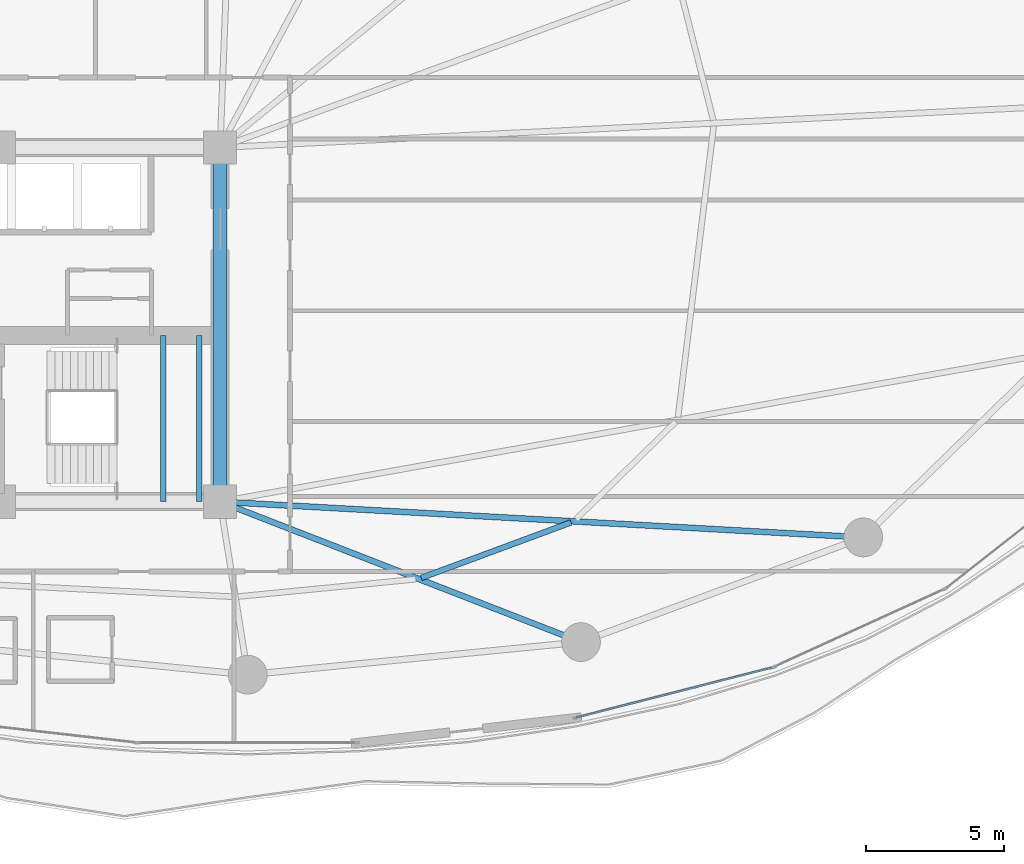
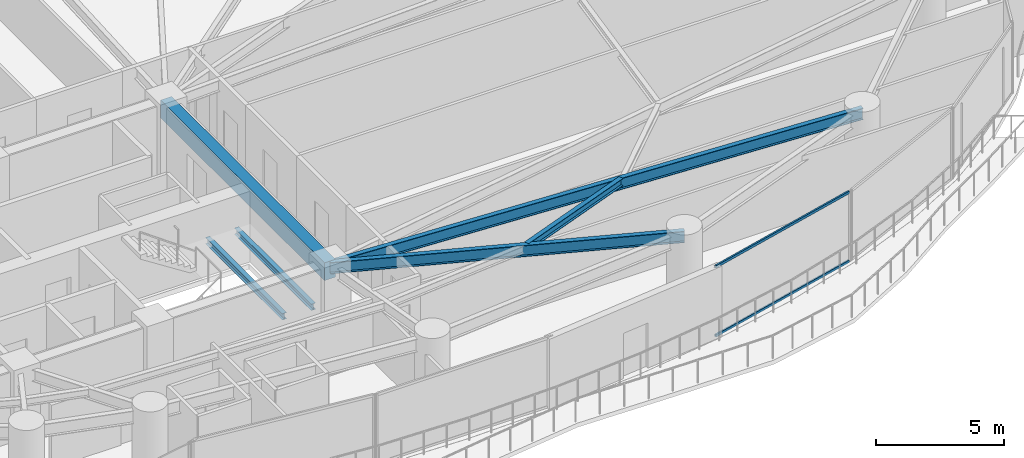
# One storey, part 12 of 32: 6 beams, 2 members, 1 element without a shape of its own.
"""IFC4 building model written with IfcOpenShell, lengths in metres."""

import ifcopenshell
import ifcopenshell.guid

model = None  # the IFC model being written
_history = None  # IfcOwnerHistory: only IFC2X3 demands one
_inside = {}  # id of a spatial element -> (the spatial element, [elements in it])
_under = {}  # id of a project, library or spatial element -> (it, [spatial elements below it])
_declared = {}  # id of a project -> (the project, [libraries it declares])
_typed = {}  # id of a type object -> (the type object, [elements of that type])
_made_of = {}  # id of a material, layer set ... -> (it, [elements and type objects made of it])


def new_model(schema):
    """Start an empty IFC model of exactly this schema.

    Asked for "IFC4X3", IfcOpenShell would pick the latest addendum, in which some entities
    have other attributes; the version numbers below select the first issue.
    IFC2X3 requires an IfcOwnerHistory on every rooted entity: one is made here for all.
    """
    global model, _history
    if schema == "IFC4X3":
        model = ifcopenshell.file(schema_version=(4, 3, 0, 0))
    else:
        model = ifcopenshell.file(schema=schema)
    _inside.clear()
    _under.clear()
    _declared.clear()
    _typed.clear()
    _made_of.clear()
    _history = None
    if model.schema == "IFC2X3":
        org = make("IfcOrganization", Name="unknown")
        user = make(
            "IfcPersonAndOrganization",
            ThePerson=make("IfcPerson", FamilyName="unknown"),
            TheOrganization=org,
        )
        app = make(
            "IfcApplication",
            ApplicationDeveloper=org,
            Version="unknown",
            ApplicationFullName="unknown",
            ApplicationIdentifier="unknown",
        )
        _history = make(
            "IfcOwnerHistory",
            OwningUser=user,
            OwningApplication=app,
            ChangeAction="ADDED",
            CreationDate=0,
        )
    return model


def make(cls, **values):
    """One entity of the class cls with the attributes given. An attribute that is None is left unset."""
    return model.create_entity(
        cls, **{name: value for name, value in values.items() if value is not None}
    )


def rooted(cls, **values):
    """An entity with a GlobalId (a new one), such as an element, a storey or a relation."""
    return make(cls, GlobalId=ifcopenshell.guid.new(), OwnerHistory=_history, **values)


def si_unit(unit_type, name, prefix=None):
    """IfcSIUnit, for example si_unit("LENGTHUNIT", "METRE", prefix="MILLI")."""
    return make("IfcSIUnit", UnitType=unit_type, Prefix=prefix, Name=name)


def assignment(units):
    """IfcUnitAssignment: the units of a project."""
    return None if units is None else make("IfcUnitAssignment", Units=units)


def point(xyz):
    """IfcCartesianPoint."""
    return None if xyz is None else make("IfcCartesianPoint", Coordinates=xyz)


def direction(xyz):
    """IfcDirection."""
    return None if xyz is None else make("IfcDirection", DirectionRatios=xyz)


def frame(location, z_axis=None, x_axis=None):
    """IfcAxis2Placement3D, a coordinate frame: its origin and axes. An axis left out is left unset."""
    return make(
        "IfcAxis2Placement3D",
        Location=point(location),
        Axis=direction(z_axis),
        RefDirection=direction(x_axis),
    )


def frame_2d(location, x_axis=None):
    """IfcAxis2Placement2D, a coordinate frame in the plane: its origin and x axis."""
    return make(
        "IfcAxis2Placement2D", Location=point(location), RefDirection=direction(x_axis)
    )


def origin():
    """The frame at (0, 0, 0) with its axes left unset."""
    return frame((0.0, 0.0, 0.0))


def origin_2d():
    """The frame at (0, 0) in the plane with its x axis left unset."""
    return frame_2d((0.0, 0.0))


def place(relative_to, where):
    """IfcLocalPlacement: puts the frame where relative to a parent placement (None: the world)."""
    return make(
        "IfcLocalPlacement", PlacementRelTo=relative_to, RelativePlacement=where
    )


def context(
    kind, dimensions, precision=None, world=None, true_north=None, identifier=None
):
    """IfcGeometricRepresentationContext, for example the 3D "Model" context."""
    return make(
        "IfcGeometricRepresentationContext",
        ContextIdentifier=identifier,
        ContextType=kind,
        CoordinateSpaceDimension=dimensions,
        Precision=precision,
        WorldCoordinateSystem=world,
        TrueNorth=true_north,
    )


def subcontext(parent, identifier, kind, view, scale=None):
    """IfcGeometricRepresentationSubContext, for example "Body" below "Model"."""
    return make(
        "IfcGeometricRepresentationSubContext",
        ContextIdentifier=identifier,
        ContextType=kind,
        ParentContext=parent,
        TargetScale=scale,
        TargetView=view,
    )


def project(units=None, contexts=None):
    """IfcProject with its units and contexts."""
    return rooted(
        "IfcProject",
        Name="project",
        RepresentationContexts=contexts,
        UnitsInContext=assignment(units),
    )


def spatial(cls, under=None, at=None, **own):
    """A site, building, storey or space (cls), placed at a placement, below another one or the project."""
    s = rooted(cls, ObjectPlacement=at, **own)
    if under is not None:
        _under.setdefault(under.id(), (under, []))[1].append(s)
    return s


def profile(cls, at=None, kind="AREA", **sizes):
    """A parametric profile (cls). Its sizes go by their IFC names, for example OverallWidth=200.0."""
    return make(cls, ProfileType=kind, Position=at, **sizes)


def rectangle(**sizes):
    """IfcRectangleProfileDef."""
    return profile("IfcRectangleProfileDef", **sizes)


def hollow_rectangle(**sizes):
    """IfcRectangleHollowProfileDef."""
    return profile("IfcRectangleHollowProfileDef", **sizes)


def i_section(**sizes):
    """IfcIShapeProfileDef."""
    return profile("IfcIShapeProfileDef", **sizes)


def extrude(swept, where, along, depth):
    """IfcExtrudedAreaSolid: the profile swept, set in the frame where, extruded along a direction by depth."""
    return make(
        "IfcExtrudedAreaSolid",
        SweptArea=swept,
        Position=where,
        ExtrudedDirection=direction(along),
        Depth=depth,
    )


def shape(context_of_items, identifier, shape_type, items):
    """IfcShapeRepresentation: the items that make up one representation, for example the "Body"."""
    return make(
        "IfcShapeRepresentation",
        ContextOfItems=context_of_items,
        RepresentationIdentifier=identifier,
        RepresentationType=shape_type,
        Items=items,
    )


def material(Name=None, Category=None):
    """IfcMaterial."""
    return make("IfcMaterial", Name=Name, Category=Category)


def layer(
    of_material, thickness, ventilated=None, Name=None, Category=None, Priority=None
):
    """IfcMaterialLayer: one layer of a wall or slab, of a material (None: an air gap)."""
    return make(
        "IfcMaterialLayer",
        Material=of_material,
        LayerThickness=thickness,
        IsVentilated=ventilated,
        Name=Name,
        Category=Category,
        Priority=Priority,
    )


def layer_set(layers, Name=None):
    """IfcMaterialLayerSet."""
    return make("IfcMaterialLayerSet", MaterialLayers=layers, LayerSetName=Name)


def material_profile(
    of_material, cross_section, Name=None, Category=None, Priority=None
):
    """IfcMaterialProfile: a cross section and its material."""
    return make(
        "IfcMaterialProfile",
        Name=Name,
        Material=of_material,
        Profile=cross_section,
        Priority=Priority,
        Category=Category,
    )


def profile_set(profiles, Name=None, composite=None):
    """IfcMaterialProfileSet."""
    return make(
        "IfcMaterialProfileSet",
        Name=Name,
        MaterialProfiles=profiles,
        CompositeProfile=composite,
    )


def made_of(thing, what):
    """Note that an element or type object is made of a material, layer set ...; save() writes the relation."""
    if what is not None:
        _made_of.setdefault(what.id(), (what, []))[1].append(thing)
    return thing


def type_object(cls, material=None, **own):
    """A type object (cls), such as IfcWallType, which elements share."""
    return made_of(rooted(cls, **own), material)


def element(
    cls,
    number,
    at=None,
    inside=None,
    cuts=None,
    type_object=None,
    material=None,
    context=None,
    identifier="Body",
    shape_type=None,
    held_by="IfcProductDefinitionShape",
    body=None,
    shapes=None,
    **own,
):
    """One element of the class cls, such as IfcWall. Its Tag is "e" and its number.

    at: its placement. inside: the storey or other place that contains it. cuts: it is an
    opening in that element (IfcRelVoidsElement). A single representation is given by context,
    identifier, shape_type and body (its items); several are given by shapes. held_by: the class
    of the entity that holds the representations. save() writes the other relations.
    """
    e = rooted(cls, Tag="e%d" % number, ObjectPlacement=at, **own)
    if body is not None:
        shapes = [shape(context, identifier, shape_type, body)]
    if shapes is not None:
        e.Representation = make(held_by, Representations=shapes)
    if inside is not None:
        _inside.setdefault(inside.id(), (inside, []))[1].append(e)
    if cuts is not None:
        rooted(
            "IfcRelVoidsElement", RelatingBuildingElement=cuts, RelatedOpeningElement=e
        )
    if type_object is not None:
        _typed.setdefault(type_object.id(), (type_object, []))[1].append(e)
    return made_of(e, material)


def aggregate(whole, parts):
    """IfcRelAggregates: a whole, such as a stair, and the parts it consists of."""
    return rooted("IfcRelAggregates", RelatingObject=whole, RelatedObjects=parts)


def save(model, path):
    """Write the relations noted so far, then the file.

    IfcRelAggregates (storeys below a building ...), IfcRelContainedInSpatialStructure (elements
    in a storey), IfcRelDefinesByType, IfcRelAssociatesMaterial and IfcRelDeclares: one each for
    every whole, place, type object, material and project.
    """
    for whole, parts in _under.values():
        aggregate(whole, parts)
    for where, things in _inside.values():
        rooted(
            "IfcRelContainedInSpatialStructure",
            RelatedElements=things,
            RelatingStructure=where,
        )
    for kind, things in _typed.values():
        rooted("IfcRelDefinesByType", RelatedObjects=things, RelatingType=kind)
    for what, things in _made_of.values():
        rooted("IfcRelAssociatesMaterial", RelatedObjects=things, RelatingMaterial=what)
    for by, libraries in _declared.values():
        rooted("IfcRelDeclares", RelatingContext=by, RelatedDefinitions=libraries)
    model.write(path)


model = new_model("IFC4")

# Units and contexts
model_context = context("Model", 3, precision=1e-05, world=origin(), true_north=direction((0.0, 1.0)))
body_context = subcontext(model_context, "Body", "Model", "MODEL_VIEW")
ifc_project = project(units=[si_unit("LENGTHUNIT", "METRE"), si_unit("AREAUNIT", "SQUARE_METRE"), si_unit("VOLUMEUNIT", "CUBIC_METRE"), si_unit("PLANEANGLEUNIT", "RADIAN"), si_unit("MASSUNIT", "GRAM", prefix="KILO")], contexts=[model_context])

# Site, building, storey
site_placement = place(None, origin())
site = spatial("IfcSite", under=ifc_project, at=site_placement, CompositionType="ELEMENT")
building_placement = place(site_placement, origin())
building = spatial("IfcBuilding", under=site, at=building_placement, Name="Kazevale Care Tower and Concert Hall", CompositionType="ELEMENT")
storey_placement = place(building_placement, frame((0.0, 0.0, 42.0)))
storey = spatial("IfcBuildingStorey", under=building, at=storey_placement, Name="L10", CompositionType="ELEMENT", Elevation=42.0)

# Curtain wall, members
ifc_material_1 = material(Name="Aluminium 6063-T6 and Low-E Glass", Category="aluminium")
ifc_layer = layer(ifc_material_1, 0.179931640625)
ifc_layer_set = layer_set([ifc_layer], Name="Aluminium 6063-T6 and Low-E Glass")
curtain_wall_type = type_object("IfcCurtainWallType", Name="Sheltered Concave Balcony Curtain Wall CW-5", PredefinedType="NOTDEFINED", material=ifc_layer_set)
curtain_wall_placement = place(storey_placement, origin())
curtain_wall = element("IfcCurtainWall", 1, at=curtain_wall_placement, inside=storey, type_object=curtain_wall_type, Name="cw:L10:f04", PredefinedType="NOTDEFINED")
ifc_material_2 = material(Name="Aluminium 6063-T6", Category="aluminium")
ifc_material_profile_1 = material_profile(ifc_material_2, hollow_rectangle(XDim=0.074951171875, YDim=0.1201171875, WallThickness=0.00390625, at=origin_2d()), Name="ALU75x120x4")
ifc_profile_set_1 = profile_set([ifc_material_profile_1], Name="Aluminium 6063-T6")
member_type = type_object("IfcMemberType", Name="CW-5 Transom ALU75x120x4", PredefinedType="USERDEFINED", material=ifc_profile_set_1)
member_1_placement = place(storey_placement, frame((63.915283203125, 17.599365234375, 0.03759765625), z_axis=(-0.968960816419, -0.24721435283, 0.0), x_axis=(0.24721435283, -0.968960816419, 0.0)))
member_1 = element("IfcMember", 2, at=member_1_placement, type_object=member_type, Name="CW-5 transom 1.1", ObjectType="TRANSOM", PredefinedType="USERDEFINED", context=body_context, shape_type="SweptSolid", body=[
    extrude(hollow_rectangle(XDim=0.074951171875, YDim=0.1201171875, WallThickness=0.00390625, at=origin_2d()), origin(), (0.0, 0.0, 1.0), 7.2763671875),
])
member_2_placement = place(storey_placement, frame((63.915283203125, 17.599365234375, 3.322509765625), z_axis=(-0.968960816419, -0.24721435283, 0.0), x_axis=(0.24721435283, -0.968960816419, 0.0)))
member_2 = element("IfcMember", 3, at=member_2_placement, type_object=member_type, Name="CW-5 transom 1.2", ObjectType="TRANSOM", PredefinedType="USERDEFINED", context=body_context, shape_type="SweptSolid", body=[
    extrude(hollow_rectangle(XDim=0.074951171875, YDim=0.1201171875, WallThickness=0.00390625, at=origin_2d()), origin(), (0.0, 0.0, 1.0), 7.2763671875),
])
aggregate(curtain_wall, [member_1, member_2])

# Beams
ifc_material_3 = material(Name="Concrete C60", Category="concrete")
ifc_material_profile_2 = material_profile(ifc_material_3, rectangle(XDim=0.5, YDim=0.85009765625, at=origin_2d()), Name="RC-B500x850")
ifc_profile_set_2 = profile_set([ifc_material_profile_2], Name="Concrete C60")
beam_type_1 = type_object("IfcBeamType", Name="Core Coupling Beam RC500x850", PredefinedType="LINTEL", material=ifc_profile_set_2)
beam_1_placement = place(storey_placement, frame((44.0, 23.60009765625, 2.93505859375), z_axis=(0.0, 1.0, 0.0), x_axis=(-1.0, 0.0, 0.0)))
element("IfcBeam", 4, at=beam_1_placement, inside=storey, type_object=beam_type_1, Name="beam:L10:coretie:4", PredefinedType="LINTEL", context=body_context, shape_type="SweptSolid", body=[
    extrude(rectangle(XDim=0.5, YDim=0.85009765625, at=origin_2d()), origin(), (0.0, 0.0, 1.0), 12.7998046875),
])
ifc_material_4 = material(Name="Steel ASTM A572 Gr 50", Category="steel")
ifc_material_profile_3 = material_profile(ifc_material_4, i_section(OverallWidth=0.2119140625, OverallDepth=0.5439453125, WebThickness=0.01318359375, FlangeThickness=0.021240234375, at=origin_2d()), Name="W530x123")
ifc_profile_set_3 = profile_set([ifc_material_profile_3], Name="Steel ASTM A572 Gr 50")
beam_type_2 = type_object("IfcBeamType", Name="Radial Floor Girder W530x123", PredefinedType="BEAM", material=ifc_profile_set_3)
beam_2_placement = place(storey_placement, frame((44.0, 23.60009765625, 3.087890625), z_axis=(0.932030212407, -0.362380577792, 0.0), x_axis=(0.362380577792, 0.932030212407, 0.0)))
element("IfcBeam", 5, at=beam_2_placement, inside=storey, type_object=beam_type_2, Name="beam:L10:rad:14", PredefinedType="BEAM", context=body_context, shape_type="SweptSolid", body=[
    extrude(i_section(OverallWidth=0.2119140625, OverallDepth=0.5439453125, WebThickness=0.01318359375, FlangeThickness=0.021240234375, at=origin_2d()), origin(), (0.0, 0.0, 1.0), 13.990966796875),
])
beam_3_placement = place(storey_placement, frame((44.0, 23.60009765625, 3.087890625), z_axis=(0.998462901796, -0.055424125948, 0.0), x_axis=(0.055424125948, 0.998462901796, 0.0)))
element("IfcBeam", 6, at=beam_3_placement, inside=storey, type_object=beam_type_2, Name="beam:L10:rad:15", PredefinedType="BEAM", context=body_context, shape_type="SweptSolid", body=[
    extrude(i_section(OverallWidth=0.2119140625, OverallDepth=0.5439453125, WebThickness=0.01318359375, FlangeThickness=0.021240234375, at=origin_2d()), origin(), (0.0, 0.0, 1.0), 23.27587890625),
])
ifc_material_profile_4 = material_profile(ifc_material_4, i_section(OverallWidth=0.205078125, OverallDepth=0.35400390625, WebThickness=0.009521484375, FlangeThickness=0.016845703125, at=origin_2d()), Name="W360x79")
ifc_profile_set_4 = profile_set([ifc_material_profile_4], Name="Steel ASTM A572 Gr 50")
beam_type_3 = type_object("IfcBeamType", Name="Secondary Floor Joist W360x79", PredefinedType="JOIST", material=ifc_profile_set_4)
beam_4_placement = place(storey_placement, frame((51.27001953125, 20.847900390625, 3.18310546875), z_axis=(0.937698254396, 0.347450692477, 0.0), x_axis=(-0.347450692477, 0.937698254396, 0.0)))
element("IfcBeam", 7, at=beam_4_placement, inside=storey, type_object=beam_type_3, Name="beam:L10:joist:14", PredefinedType="JOIST", context=body_context, shape_type="SweptSolid", body=[
    extrude(i_section(OverallWidth=0.205078125, OverallDepth=0.35400390625, WebThickness=0.009521484375, FlangeThickness=0.016845703125, at=origin_2d()), origin(), (0.0, 0.0, 1.0), 5.773681640625),
])
ifc_material_profile_5 = material_profile(ifc_material_4, i_section(OverallWidth=0.202880859375, OverallDepth=0.302978515625, WebThickness=0.007568359375, FlangeThickness=0.01318359375, at=origin_2d()), Name="W310x60")
ifc_profile_set_5 = profile_set([ifc_material_profile_5], Name="Steel ASTM A572 Gr 50")
beam_type_4 = type_object("IfcBeamType", Name="Stair & Balcony Trimmer W310x60", PredefinedType="BEAM", material=ifc_profile_set_5)
for number, where, z_axis, x_axis, name in (
    (8, (41.949951171875, 23.60009765625, 1.448486328125), (0.0, 1.0, 0.0), (-1.0, 0.0, 0.0), "beam:L10:sttrim:ST2"),
    (9, (43.25, 23.60009765625, 1.448486328125), (0.0, 1.0, 0.0), (-1.0, 0.0, 0.0), "beam:L10:sttrim:ST2b"),
):
    element("IfcBeam", number, at=place(storey_placement, frame(where, z_axis=z_axis, x_axis=x_axis)), inside=storey, type_object=beam_type_4, Name=name, PredefinedType="BEAM", context=body_context, shape_type="SweptSolid", body=[
        extrude(i_section(OverallWidth=0.202880859375, OverallDepth=0.302978515625, WebThickness=0.007568359375, FlangeThickness=0.01318359375, at=origin_2d()), origin(), (0.0, 0.0, 1.0), 6.0),
    ])

save(model, "model.ifc")
